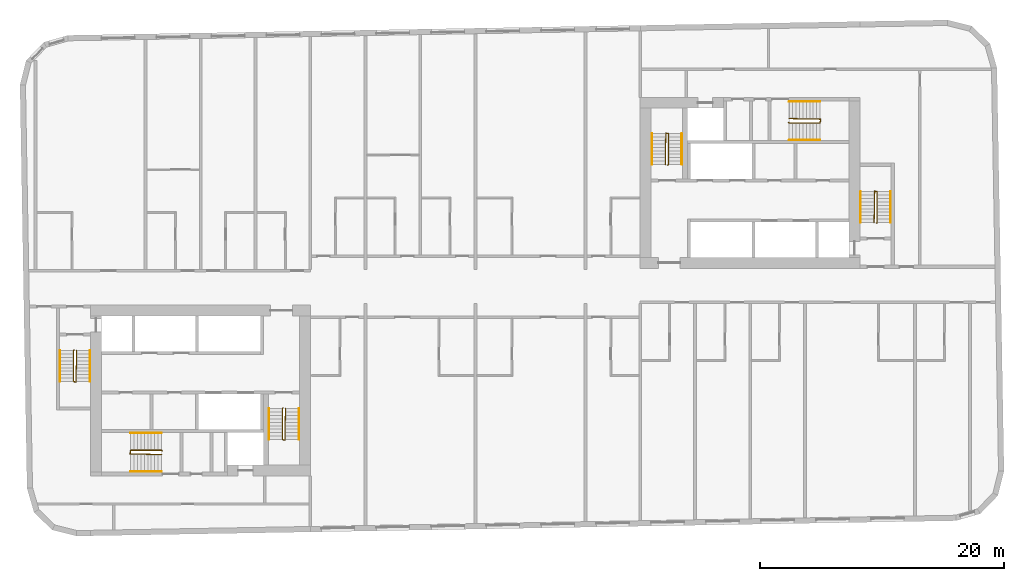
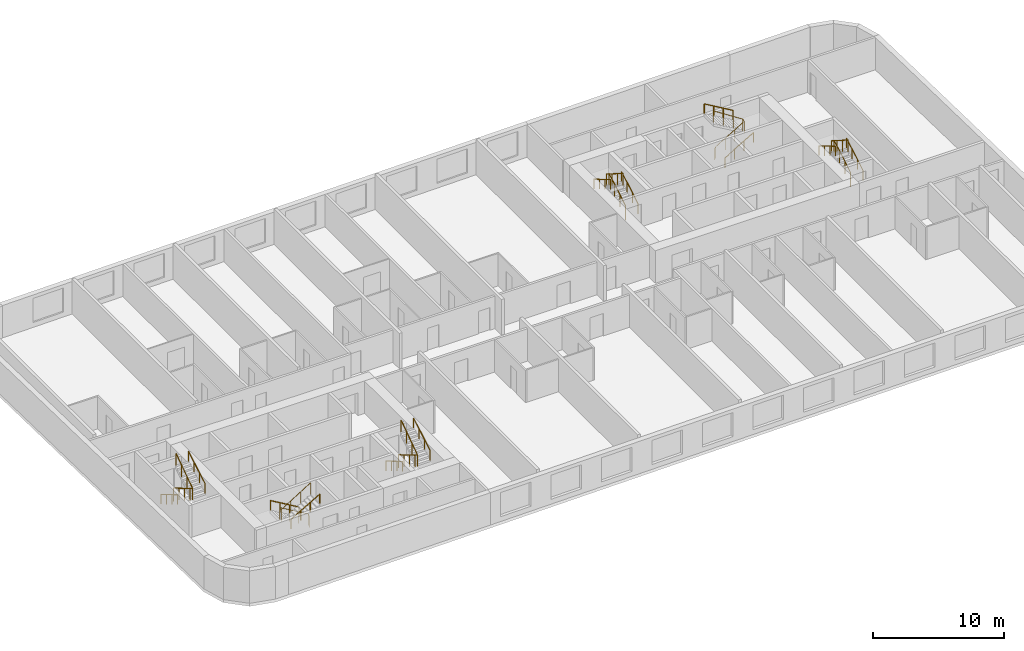
# One storey, part 11 of 11: 18 railings.
"""IFC4 building model written with IfcOpenShell, lengths in metres."""

from ifc_helpers import new_model, si_unit, direction, frame, origin, origin_2d, place, context, subcontext, project, spatial, circle, extrude, material, type_object, element, save


model = new_model("IFC4")

# Units and contexts
model_context = context("Model", 3, precision=1e-05, world=origin(), true_north=direction((0.0, 1.0)))
body_context = subcontext(model_context, "Body", "Model", "MODEL_VIEW")
ifc_project = project(units=[si_unit("LENGTHUNIT", "METRE"), si_unit("AREAUNIT", "SQUARE_METRE"), si_unit("VOLUMEUNIT", "CUBIC_METRE"), si_unit("PLANEANGLEUNIT", "RADIAN"), si_unit("MASSUNIT", "GRAM", prefix="KILO")], contexts=[model_context])

# Site, building, storey
site_placement = place(None, origin())
site = spatial("IfcSite", under=ifc_project, at=site_placement, CompositionType="ELEMENT")
building_placement = place(site_placement, origin())
building = spatial("IfcBuilding", under=site, at=building_placement, Name="Kajstack Hotel Tower", CompositionType="ELEMENT")
storey_placement = place(building_placement, frame((0.0, 0.0, 250.699951171875)))
storey = spatial("IfcBuildingStorey", under=building, at=storey_placement, Name="L62", CompositionType="ELEMENT", Elevation=250.699951171875)

# Railings
ifc_material = material(Name="Steel S355J2", Category="steel")
railing_type_1 = type_object("IfcRailingType", Name="Stair guard 1100", PredefinedType="GUARDRAIL", material=ifc_material)
railing_1_placement = place(storey_placement, frame((-32.85009765625, -5.199951171875, 0.0)))
element("IfcRailing", 1, at=railing_1_placement, inside=storey, type_object=railing_type_1, Name="L62 W1 stair guard 1", PredefinedType="GUARDRAIL", context=body_context, shape_type="SweptSolid", body=[
    extrude(circle(Radius=0.02392578125, at=origin_2d()), frame((0.0, 0.0, 1.076171875), z_axis=(-0.277450376394, -0.278810427259, 0.919394384522), x_axis=(0.708833529934, -0.705375805398, 0.0)), (0.0, 0.0, 1.0), 0.179443359375),
    extrude(circle(Radius=0.02392578125, at=origin_2d()), frame((-0.0498046875, -0.050048828125, 1.2412109375), z_axis=(0.0, -0.86152411907, 0.507716645641), x_axis=(1.0, 0.0, 0.0)), (0.0, 0.0, 1.0), 2.925048828125),
    extrude(circle(Radius=0.02392578125, at=origin_2d()), frame((-0.0498046875, -2.570068359375, 2.72607421875), z_axis=(0.970072785993, -0.242814311512, 0.0), x_axis=(0.242814311512, 0.970072785993, 0.0)), (0.0, 0.0, 1.0), 0.2060546875),
    extrude(circle(Radius=0.02392578125, at=origin_2d()), frame((0.150146484375, -2.6201171875, 2.72607421875), z_axis=(0.016385308676, 0.841405582595, 0.540155687962), x_axis=(-0.999810440751, 0.019470042781, 0.0)), (0.0, 0.0, 1.0), 3.054443359375),
    extrude(circle(Radius=0.02099609375, at=origin_2d()), origin(), (0.0, 0.0, 1.0), 1.052001953125),
    extrude(circle(Radius=0.02099609375, at=origin_2d()), frame((-0.0498046875, -0.050048828125, 0.1650390625)), (0.0, 0.0, 1.0), 1.052001953125),
    extrude(circle(Radius=0.02099609375, at=origin_2d()), frame((-0.0498046875, -0.89013671875, 0.66015625)), (0.0, 0.0, 1.0), 1.052001953125),
    extrude(circle(Radius=0.02099609375, at=origin_2d()), frame((-0.0498046875, -1.72998046875, 1.155029296875)), (0.0, 0.0, 1.0), 1.052001953125),
    extrude(circle(Radius=0.02099609375, at=origin_2d()), frame((-0.0498046875, -2.570068359375, 1.650146484375)), (0.0, 0.0, 1.0), 1.052001953125),
    extrude(circle(Radius=0.02099609375, at=origin_2d()), frame((0.150146484375, -2.6201171875, 1.650146484375)), (0.0, 0.0, 1.0), 1.052001953125),
    extrude(circle(Radius=0.02099609375, at=origin_2d()), frame((0.166748046875, -1.763427734375, 2.2001953125)), (0.0, 0.0, 1.0), 1.052001953125),
    extrude(circle(Radius=0.02099609375, at=origin_2d()), frame((0.18359375, -0.90673828125, 2.75)), (0.0, 0.0, 1.0), 1.052001953125),
    extrude(circle(Radius=0.02099609375, at=origin_2d()), frame((0.2001953125, -0.050048828125, 3.300048828125)), (0.0, 0.0, 1.0), 1.052001953125),
])
railing_2_placement = place(storey_placement, frame((-15.75, -9.949951171875, 0.0)))
element("IfcRailing", 2, at=railing_2_placement, inside=storey, type_object=railing_type_1, Name="L62 W2 stair guard 1", PredefinedType="GUARDRAIL", context=body_context, shape_type="SweptSolid", body=[
    extrude(circle(Radius=0.02392578125, at=origin_2d()), frame((0.0, 0.0, 1.076171875), z_axis=(-0.278705021027, -0.278705021027, 0.919046801044), x_axis=(0.707106781187, -0.707106781187, 0.0)), (0.0, 0.0, 1.0), 0.1796875),
    extrude(circle(Radius=0.02392578125, at=origin_2d()), frame((-0.050048828125, -0.050048828125, 1.2412109375), z_axis=(0.0, -0.86152411907, 0.507716645641), x_axis=(1.0, 0.0, 0.0)), (0.0, 0.0, 1.0), 2.925048828125),
    extrude(circle(Radius=0.02392578125, at=origin_2d()), frame((-0.050048828125, -2.570068359375, 2.72607421875), z_axis=(0.970072785993, -0.242814311512, 0.0), x_axis=(0.242814311512, 0.970072785993, 0.0)), (0.0, 0.0, 1.0), 0.2060546875),
    extrude(circle(Radius=0.02392578125, at=origin_2d()), frame((0.14990234375, -2.6201171875, 2.72607421875), z_axis=(0.016385308676, 0.841405582595, 0.540155687962), x_axis=(-0.999810440751, 0.019470042781, 0.0)), (0.0, 0.0, 1.0), 3.054443359375),
    extrude(circle(Radius=0.02099609375, at=origin_2d()), origin(), (0.0, 0.0, 1.0), 1.052001953125),
    extrude(circle(Radius=0.02099609375, at=origin_2d()), frame((-0.050048828125, -0.050048828125, 0.1650390625)), (0.0, 0.0, 1.0), 1.052001953125),
    extrude(circle(Radius=0.02099609375, at=origin_2d()), frame((-0.050048828125, -0.89013671875, 0.66015625)), (0.0, 0.0, 1.0), 1.052001953125),
    extrude(circle(Radius=0.02099609375, at=origin_2d()), frame((-0.050048828125, -1.72998046875, 1.155029296875)), (0.0, 0.0, 1.0), 1.052001953125),
    extrude(circle(Radius=0.02099609375, at=origin_2d()), frame((-0.050048828125, -2.570068359375, 1.650146484375)), (0.0, 0.0, 1.0), 1.052001953125),
    extrude(circle(Radius=0.02099609375, at=origin_2d()), frame((0.14990234375, -2.6201171875, 1.650146484375)), (0.0, 0.0, 1.0), 1.052001953125),
    extrude(circle(Radius=0.02099609375, at=origin_2d()), frame((0.16650390625, -1.763427734375, 2.2001953125)), (0.0, 0.0, 1.0), 1.052001953125),
    extrude(circle(Radius=0.02099609375, at=origin_2d()), frame((0.183349609375, -0.90673828125, 2.75)), (0.0, 0.0, 1.0), 1.052001953125),
    extrude(circle(Radius=0.02099609375, at=origin_2d()), frame((0.199951171875, -0.050048828125, 3.300048828125)), (0.0, 0.0, 1.0), 1.052001953125),
])
railing_3_placement = place(storey_placement, frame((-25.64990234375, -13.449951171875, 0.0)))
element("IfcRailing", 3, at=railing_3_placement, inside=storey, type_object=railing_type_1, Name="L62 W3 stair guard 1", PredefinedType="GUARDRAIL", context=body_context, shape_type="SweptSolid", body=[
    extrude(circle(Radius=0.02392578125, at=origin_2d()), frame((0.0, 0.0, 1.076171875), z_axis=(-0.278705021027, 0.278705021027, 0.919046801044), x_axis=(-0.707106781187, -0.707106781187, 0.0)), (0.0, 0.0, 1.0), 0.1796875),
    extrude(circle(Radius=0.02392578125, at=origin_2d()), frame((-0.050048828125, 0.050048828125, 1.2412109375), z_axis=(-0.86152411907, 0.0, 0.507716645641), x_axis=(0.0, -1.0, 0.0)), (0.0, 0.0, 1.0), 2.925048828125),
    extrude(circle(Radius=0.02392578125, at=origin_2d()), frame((-2.570068359375, 0.050048828125, 2.72607421875), z_axis=(-0.164529134168, -0.986372223864, 0.0), x_axis=(0.986372223864, -0.164529134168, 0.0)), (0.0, 0.0, 1.0), 0.30419921875),
    extrude(circle(Radius=0.02392578125, at=origin_2d()), frame((-2.6201171875, -0.25, 2.72607421875), z_axis=(0.841405582595, -0.016385308676, 0.540155687962), x_axis=(0.019470042781, 0.999810440751, 0.0)), (0.0, 0.0, 1.0), 3.054443359375),
    extrude(circle(Radius=0.02099609375, at=origin_2d()), origin(), (0.0, 0.0, 1.0), 1.052001953125),
    extrude(circle(Radius=0.02099609375, at=origin_2d()), frame((-0.050048828125, 0.050048828125, 0.1650390625)), (0.0, 0.0, 1.0), 1.052001953125),
    extrude(circle(Radius=0.02099609375, at=origin_2d()), frame((-0.89013671875, 0.050048828125, 0.66015625)), (0.0, 0.0, 1.0), 1.052001953125),
    extrude(circle(Radius=0.02099609375, at=origin_2d()), frame((-1.72998046875, 0.050048828125, 1.155029296875)), (0.0, 0.0, 1.0), 1.052001953125),
    extrude(circle(Radius=0.02099609375, at=origin_2d()), frame((-2.570068359375, 0.050048828125, 1.650146484375)), (0.0, 0.0, 1.0), 1.052001953125),
    extrude(circle(Radius=0.02099609375, at=origin_2d()), frame((-2.6201171875, -0.25, 1.650146484375)), (0.0, 0.0, 1.0), 1.052001953125),
    extrude(circle(Radius=0.02099609375, at=origin_2d()), frame((-1.763427734375, -0.2666015625, 2.2001953125)), (0.0, 0.0, 1.0), 1.052001953125),
    extrude(circle(Radius=0.02099609375, at=origin_2d()), frame((-0.90673828125, -0.283447265625, 2.75)), (0.0, 0.0, 1.0), 1.052001953125),
    extrude(circle(Radius=0.02099609375, at=origin_2d()), frame((-0.050048828125, -0.300048828125, 3.300048828125)), (0.0, 0.0, 1.0), 1.052001953125),
])
railing_4_placement = place(storey_placement, frame((32.85009765625, 5.199951171875, 0.0)))
element("IfcRailing", 4, at=railing_4_placement, inside=storey, type_object=railing_type_1, Name="L62 E1 stair guard 1", PredefinedType="GUARDRAIL", context=body_context, shape_type="SweptSolid", body=[
    extrude(circle(Radius=0.02392578125, at=origin_2d()), frame((0.0, 0.0, 1.076171875), z_axis=(0.277450376394, 0.278810427259, 0.919394384522), x_axis=(-0.708833529934, 0.705375805398, 0.0)), (0.0, 0.0, 1.0), 0.179443359375),
    extrude(circle(Radius=0.02392578125, at=origin_2d()), frame((0.0498046875, 0.050048828125, 1.2412109375), z_axis=(0.0, 0.86152411907, 0.507716645641), x_axis=(-1.0, 0.0, 0.0)), (0.0, 0.0, 1.0), 2.925048828125),
    extrude(circle(Radius=0.02392578125, at=origin_2d()), frame((0.0498046875, 2.570068359375, 2.72607421875), z_axis=(-0.970072785993, 0.242814311512, 0.0), x_axis=(-0.242814311512, -0.970072785993, 0.0)), (0.0, 0.0, 1.0), 0.2060546875),
    extrude(circle(Radius=0.02392578125, at=origin_2d()), frame((-0.150146484375, 2.6201171875, 2.72607421875), z_axis=(-0.016385308676, -0.841405582595, 0.540155687962), x_axis=(0.999810440751, -0.019470042781, 0.0)), (0.0, 0.0, 1.0), 3.054443359375),
    extrude(circle(Radius=0.02099609375, at=origin_2d()), origin(), (0.0, 0.0, 1.0), 1.052001953125),
    extrude(circle(Radius=0.02099609375, at=origin_2d()), frame((0.0498046875, 0.050048828125, 0.1650390625)), (0.0, 0.0, 1.0), 1.052001953125),
    extrude(circle(Radius=0.02099609375, at=origin_2d()), frame((0.0498046875, 0.89013671875, 0.66015625)), (0.0, 0.0, 1.0), 1.052001953125),
    extrude(circle(Radius=0.02099609375, at=origin_2d()), frame((0.0498046875, 1.72998046875, 1.155029296875)), (0.0, 0.0, 1.0), 1.052001953125),
    extrude(circle(Radius=0.02099609375, at=origin_2d()), frame((0.0498046875, 2.570068359375, 1.650146484375)), (0.0, 0.0, 1.0), 1.052001953125),
    extrude(circle(Radius=0.02099609375, at=origin_2d()), frame((-0.150146484375, 2.6201171875, 1.650146484375)), (0.0, 0.0, 1.0), 1.052001953125),
    extrude(circle(Radius=0.02099609375, at=origin_2d()), frame((-0.166748046875, 1.763427734375, 2.2001953125)), (0.0, 0.0, 1.0), 1.052001953125),
    extrude(circle(Radius=0.02099609375, at=origin_2d()), frame((-0.18359375, 0.90673828125, 2.75)), (0.0, 0.0, 1.0), 1.052001953125),
    extrude(circle(Radius=0.02099609375, at=origin_2d()), frame((-0.2001953125, 0.050048828125, 3.300048828125)), (0.0, 0.0, 1.0), 1.052001953125),
])
railing_5_placement = place(storey_placement, frame((15.75, 9.949951171875, 0.0)))
element("IfcRailing", 5, at=railing_5_placement, inside=storey, type_object=railing_type_1, Name="L62 E2 stair guard 1", PredefinedType="GUARDRAIL", context=body_context, shape_type="SweptSolid", body=[
    extrude(circle(Radius=0.02392578125, at=origin_2d()), frame((0.0, 0.0, 1.076171875), z_axis=(0.278705021027, 0.278705021027, 0.919046801044), x_axis=(-0.707106781187, 0.707106781187, 0.0)), (0.0, 0.0, 1.0), 0.1796875),
    extrude(circle(Radius=0.02392578125, at=origin_2d()), frame((0.050048828125, 0.050048828125, 1.2412109375), z_axis=(0.0, 0.86152411907, 0.507716645641), x_axis=(-1.0, 0.0, 0.0)), (0.0, 0.0, 1.0), 2.925048828125),
    extrude(circle(Radius=0.02392578125, at=origin_2d()), frame((0.050048828125, 2.570068359375, 2.72607421875), z_axis=(-0.970072785993, 0.242814311512, 0.0), x_axis=(-0.242814311512, -0.970072785993, 0.0)), (0.0, 0.0, 1.0), 0.2060546875),
    extrude(circle(Radius=0.02392578125, at=origin_2d()), frame((-0.14990234375, 2.6201171875, 2.72607421875), z_axis=(-0.016385308676, -0.841405582595, 0.540155687962), x_axis=(0.999810440751, -0.019470042781, 0.0)), (0.0, 0.0, 1.0), 3.054443359375),
    extrude(circle(Radius=0.02099609375, at=origin_2d()), origin(), (0.0, 0.0, 1.0), 1.052001953125),
    extrude(circle(Radius=0.02099609375, at=origin_2d()), frame((0.050048828125, 0.050048828125, 0.1650390625)), (0.0, 0.0, 1.0), 1.052001953125),
    extrude(circle(Radius=0.02099609375, at=origin_2d()), frame((0.050048828125, 0.89013671875, 0.66015625)), (0.0, 0.0, 1.0), 1.052001953125),
    extrude(circle(Radius=0.02099609375, at=origin_2d()), frame((0.050048828125, 1.72998046875, 1.155029296875)), (0.0, 0.0, 1.0), 1.052001953125),
    extrude(circle(Radius=0.02099609375, at=origin_2d()), frame((0.050048828125, 2.570068359375, 1.650146484375)), (0.0, 0.0, 1.0), 1.052001953125),
    extrude(circle(Radius=0.02099609375, at=origin_2d()), frame((-0.14990234375, 2.6201171875, 1.650146484375)), (0.0, 0.0, 1.0), 1.052001953125),
    extrude(circle(Radius=0.02099609375, at=origin_2d()), frame((-0.16650390625, 1.763427734375, 2.2001953125)), (0.0, 0.0, 1.0), 1.052001953125),
    extrude(circle(Radius=0.02099609375, at=origin_2d()), frame((-0.183349609375, 0.90673828125, 2.75)), (0.0, 0.0, 1.0), 1.052001953125),
    extrude(circle(Radius=0.02099609375, at=origin_2d()), frame((-0.199951171875, 0.050048828125, 3.300048828125)), (0.0, 0.0, 1.0), 1.052001953125),
])
railing_6_placement = place(storey_placement, frame((25.64990234375, 13.449951171875, 0.0)))
element("IfcRailing", 6, at=railing_6_placement, inside=storey, type_object=railing_type_1, Name="L62 E3 stair guard 1", PredefinedType="GUARDRAIL", context=body_context, shape_type="SweptSolid", body=[
    extrude(circle(Radius=0.02392578125, at=origin_2d()), frame((0.0, 0.0, 1.076171875), z_axis=(0.278705021027, -0.278705021027, 0.919046801044), x_axis=(0.707106781187, 0.707106781187, 0.0)), (0.0, 0.0, 1.0), 0.1796875),
    extrude(circle(Radius=0.02392578125, at=origin_2d()), frame((0.050048828125, -0.050048828125, 1.2412109375), z_axis=(0.86152411907, 0.0, 0.507716645641), x_axis=(0.0, 1.0, 0.0)), (0.0, 0.0, 1.0), 2.925048828125),
    extrude(circle(Radius=0.02392578125, at=origin_2d()), frame((2.570068359375, -0.050048828125, 2.72607421875), z_axis=(0.164529134168, 0.986372223864, 0.0), x_axis=(-0.986372223864, 0.164529134168, 0.0)), (0.0, 0.0, 1.0), 0.30419921875),
    extrude(circle(Radius=0.02392578125, at=origin_2d()), frame((2.6201171875, 0.25, 2.72607421875), z_axis=(-0.841405582595, 0.016385308676, 0.540155687962), x_axis=(-0.019470042781, -0.999810440751, 0.0)), (0.0, 0.0, 1.0), 3.054443359375),
    extrude(circle(Radius=0.02099609375, at=origin_2d()), origin(), (0.0, 0.0, 1.0), 1.052001953125),
    extrude(circle(Radius=0.02099609375, at=origin_2d()), frame((0.050048828125, -0.050048828125, 0.1650390625)), (0.0, 0.0, 1.0), 1.052001953125),
    extrude(circle(Radius=0.02099609375, at=origin_2d()), frame((0.89013671875, -0.050048828125, 0.66015625)), (0.0, 0.0, 1.0), 1.052001953125),
    extrude(circle(Radius=0.02099609375, at=origin_2d()), frame((1.72998046875, -0.050048828125, 1.155029296875)), (0.0, 0.0, 1.0), 1.052001953125),
    extrude(circle(Radius=0.02099609375, at=origin_2d()), frame((2.570068359375, -0.050048828125, 1.650146484375)), (0.0, 0.0, 1.0), 1.052001953125),
    extrude(circle(Radius=0.02099609375, at=origin_2d()), frame((2.6201171875, 0.25, 1.650146484375)), (0.0, 0.0, 1.0), 1.052001953125),
    extrude(circle(Radius=0.02099609375, at=origin_2d()), frame((1.763427734375, 0.2666015625, 2.2001953125)), (0.0, 0.0, 1.0), 1.052001953125),
    extrude(circle(Radius=0.02099609375, at=origin_2d()), frame((0.90673828125, 0.283447265625, 2.75)), (0.0, 0.0, 1.0), 1.052001953125),
    extrude(circle(Radius=0.02099609375, at=origin_2d()), frame((0.050048828125, 0.300048828125, 3.300048828125)), (0.0, 0.0, 1.0), 1.052001953125),
])
railing_type_2 = type_object("IfcRailingType", Name="Stair handrail 900", PredefinedType="HANDRAIL", material=ifc_material)
railing_7_placement = place(storey_placement, frame((-34.0, -5.25, 0.1650390625)))
element("IfcRailing", 7, at=railing_7_placement, inside=storey, type_object=railing_type_2, Name="L62 W1 stair handrail 1", PredefinedType="HANDRAIL", context=body_context, shape_type="SweptSolid", body=[
    extrude(circle(Radius=0.02392578125, at=origin_2d()), frame((0.0, 0.0, 0.8759765625), z_axis=(0.0, -0.86152411907, 0.507716645641), x_axis=(1.0, 0.0, 0.0)), (0.0, 0.0, 1.0), 2.925048828125),
    extrude(circle(Radius=0.02099609375, at=origin_2d()), origin(), (0.0, 0.0, 1.0), 0.851806640625),
    extrude(circle(Radius=0.02099609375, at=origin_2d()), frame((0.0, -0.840087890625, 0.4951171875)), (0.0, 0.0, 1.0), 0.851806640625),
    extrude(circle(Radius=0.02099609375, at=origin_2d()), frame((0.0, -1.679931640625, 0.989990234375)), (0.0, 0.0, 1.0), 0.851806640625),
    extrude(circle(Radius=0.02099609375, at=origin_2d()), frame((0.0, -2.52001953125, 1.485107421875)), (0.0, 0.0, 1.0), 0.851806640625),
])
railing_8_placement = place(storey_placement, frame((-31.550048828125, -7.77001953125, 1.81494140625)))
element("IfcRailing", 8, at=railing_8_placement, inside=storey, type_object=railing_type_2, Name="L62 W1 stair handrail 2", PredefinedType="HANDRAIL", context=body_context, shape_type="SweptSolid", body=[
    extrude(circle(Radius=0.02392578125, at=origin_2d()), frame((0.0, 0.0, 0.8759765625), z_axis=(0.0, 0.86152411907, 0.507716645641), x_axis=(-1.0, 0.0, 0.0)), (0.0, 0.0, 1.0), 2.925048828125),
    extrude(circle(Radius=0.02099609375, at=origin_2d()), origin(), (0.0, 0.0, 1.0), 0.851806640625),
    extrude(circle(Radius=0.02099609375, at=origin_2d()), frame((0.0, 0.840087890625, 0.4951171875)), (0.0, 0.0, 1.0), 0.851806640625),
    extrude(circle(Radius=0.02099609375, at=origin_2d()), frame((0.0, 1.679931640625, 0.989990234375)), (0.0, 0.0, 1.0), 0.851806640625),
    extrude(circle(Radius=0.02099609375, at=origin_2d()), frame((0.0, 2.52001953125, 1.485107421875)), (0.0, 0.0, 1.0), 0.851806640625),
])
railing_9_placement = place(storey_placement, frame((-16.89990234375, -10.0, 0.1650390625)))
element("IfcRailing", 9, at=railing_9_placement, inside=storey, type_object=railing_type_2, Name="L62 W2 stair handrail 1", PredefinedType="HANDRAIL", context=body_context, shape_type="SweptSolid", body=[
    extrude(circle(Radius=0.02392578125, at=origin_2d()), frame((0.0, 0.0, 0.8759765625), z_axis=(0.0, -0.86152411907, 0.507716645641), x_axis=(1.0, 0.0, 0.0)), (0.0, 0.0, 1.0), 2.925048828125),
    extrude(circle(Radius=0.02099609375, at=origin_2d()), origin(), (0.0, 0.0, 1.0), 0.851806640625),
    extrude(circle(Radius=0.02099609375, at=origin_2d()), frame((0.0, -0.840087890625, 0.4951171875)), (0.0, 0.0, 1.0), 0.851806640625),
    extrude(circle(Radius=0.02099609375, at=origin_2d()), frame((0.0, -1.679931640625, 0.989990234375)), (0.0, 0.0, 1.0), 0.851806640625),
    extrude(circle(Radius=0.02099609375, at=origin_2d()), frame((0.0, -2.52001953125, 1.485107421875)), (0.0, 0.0, 1.0), 0.851806640625),
])
railing_10_placement = place(storey_placement, frame((-14.449951171875, -12.52001953125, 1.81494140625)))
element("IfcRailing", 10, at=railing_10_placement, inside=storey, type_object=railing_type_2, Name="L62 W2 stair handrail 2", PredefinedType="HANDRAIL", context=body_context, shape_type="SweptSolid", body=[
    extrude(circle(Radius=0.02392578125, at=origin_2d()), frame((0.0, 0.0, 0.8759765625), z_axis=(0.0, 0.86152411907, 0.507716645641), x_axis=(-1.0, 0.0, 0.0)), (0.0, 0.0, 1.0), 2.925048828125),
    extrude(circle(Radius=0.02099609375, at=origin_2d()), origin(), (0.0, 0.0, 1.0), 0.851806640625),
    extrude(circle(Radius=0.02099609375, at=origin_2d()), frame((0.0, 0.840087890625, 0.4951171875)), (0.0, 0.0, 1.0), 0.851806640625),
    extrude(circle(Radius=0.02099609375, at=origin_2d()), frame((0.0, 1.679931640625, 0.989990234375)), (0.0, 0.0, 1.0), 0.851806640625),
    extrude(circle(Radius=0.02099609375, at=origin_2d()), frame((0.0, 2.52001953125, 1.485107421875)), (0.0, 0.0, 1.0), 0.851806640625),
])
railing_11_placement = place(storey_placement, frame((-25.699951171875, -12.0, 0.1650390625)))
element("IfcRailing", 11, at=railing_11_placement, inside=storey, type_object=railing_type_2, Name="L62 W3 stair handrail 1", PredefinedType="HANDRAIL", context=body_context, shape_type="SweptSolid", body=[
    extrude(circle(Radius=0.02392578125, at=origin_2d()), frame((0.0, 0.0, 0.8759765625), z_axis=(-0.86152411907, 0.0, 0.507716645641), x_axis=(0.0, -1.0, 0.0)), (0.0, 0.0, 1.0), 2.925048828125),
    extrude(circle(Radius=0.02099609375, at=origin_2d()), origin(), (0.0, 0.0, 1.0), 0.851806640625),
    extrude(circle(Radius=0.02099609375, at=origin_2d()), frame((-0.840087890625, 0.0, 0.4951171875)), (0.0, 0.0, 1.0), 0.851806640625),
    extrude(circle(Radius=0.02099609375, at=origin_2d()), frame((-1.679931640625, 0.0, 0.989990234375)), (0.0, 0.0, 1.0), 0.851806640625),
    extrude(circle(Radius=0.02099609375, at=origin_2d()), frame((-2.52001953125, 0.0, 1.485107421875)), (0.0, 0.0, 1.0), 0.851806640625),
])
railing_12_placement = place(storey_placement, frame((-28.219970703125, -15.14990234375, 1.81494140625)))
element("IfcRailing", 12, at=railing_12_placement, inside=storey, type_object=railing_type_2, Name="L62 W3 stair handrail 2", PredefinedType="HANDRAIL", context=body_context, shape_type="SweptSolid", body=[
    extrude(circle(Radius=0.02392578125, at=origin_2d()), frame((0.0, 0.0, 0.8759765625), z_axis=(0.86152411907, 0.0, 0.507716645641), x_axis=(0.0, 1.0, 0.0)), (0.0, 0.0, 1.0), 2.925048828125),
    extrude(circle(Radius=0.02099609375, at=origin_2d()), origin(), (0.0, 0.0, 1.0), 0.851806640625),
    extrude(circle(Radius=0.02099609375, at=origin_2d()), frame((0.840087890625, 0.0, 0.4951171875)), (0.0, 0.0, 1.0), 0.851806640625),
    extrude(circle(Radius=0.02099609375, at=origin_2d()), frame((1.679931640625, 0.0, 0.989990234375)), (0.0, 0.0, 1.0), 0.851806640625),
    extrude(circle(Radius=0.02099609375, at=origin_2d()), frame((2.52001953125, 0.0, 1.485107421875)), (0.0, 0.0, 1.0), 0.851806640625),
])
railing_13_placement = place(storey_placement, frame((34.0, 5.25, 0.1650390625)))
element("IfcRailing", 13, at=railing_13_placement, inside=storey, type_object=railing_type_2, Name="L62 E1 stair handrail 1", PredefinedType="HANDRAIL", context=body_context, shape_type="SweptSolid", body=[
    extrude(circle(Radius=0.02392578125, at=origin_2d()), frame((0.0, 0.0, 0.8759765625), z_axis=(0.0, 0.86152411907, 0.507716645641), x_axis=(-1.0, 0.0, 0.0)), (0.0, 0.0, 1.0), 2.925048828125),
    extrude(circle(Radius=0.02099609375, at=origin_2d()), origin(), (0.0, 0.0, 1.0), 0.851806640625),
    extrude(circle(Radius=0.02099609375, at=origin_2d()), frame((0.0, 0.840087890625, 0.4951171875)), (0.0, 0.0, 1.0), 0.851806640625),
    extrude(circle(Radius=0.02099609375, at=origin_2d()), frame((0.0, 1.679931640625, 0.989990234375)), (0.0, 0.0, 1.0), 0.851806640625),
    extrude(circle(Radius=0.02099609375, at=origin_2d()), frame((0.0, 2.52001953125, 1.485107421875)), (0.0, 0.0, 1.0), 0.851806640625),
])
railing_14_placement = place(storey_placement, frame((31.550048828125, 7.77001953125, 1.81494140625)))
element("IfcRailing", 14, at=railing_14_placement, inside=storey, type_object=railing_type_2, Name="L62 E1 stair handrail 2", PredefinedType="HANDRAIL", context=body_context, shape_type="SweptSolid", body=[
    extrude(circle(Radius=0.02392578125, at=origin_2d()), frame((0.0, 0.0, 0.8759765625), z_axis=(0.0, -0.86152411907, 0.507716645641), x_axis=(1.0, 0.0, 0.0)), (0.0, 0.0, 1.0), 2.925048828125),
    extrude(circle(Radius=0.02099609375, at=origin_2d()), origin(), (0.0, 0.0, 1.0), 0.851806640625),
    extrude(circle(Radius=0.02099609375, at=origin_2d()), frame((0.0, -0.840087890625, 0.4951171875)), (0.0, 0.0, 1.0), 0.851806640625),
    extrude(circle(Radius=0.02099609375, at=origin_2d()), frame((0.0, -1.679931640625, 0.989990234375)), (0.0, 0.0, 1.0), 0.851806640625),
    extrude(circle(Radius=0.02099609375, at=origin_2d()), frame((0.0, -2.52001953125, 1.485107421875)), (0.0, 0.0, 1.0), 0.851806640625),
])
railing_15_placement = place(storey_placement, frame((16.89990234375, 10.0, 0.1650390625)))
element("IfcRailing", 15, at=railing_15_placement, inside=storey, type_object=railing_type_2, Name="L62 E2 stair handrail 1", PredefinedType="HANDRAIL", context=body_context, shape_type="SweptSolid", body=[
    extrude(circle(Radius=0.02392578125, at=origin_2d()), frame((0.0, 0.0, 0.8759765625), z_axis=(0.0, 0.86152411907, 0.507716645641), x_axis=(-1.0, 0.0, 0.0)), (0.0, 0.0, 1.0), 2.925048828125),
    extrude(circle(Radius=0.02099609375, at=origin_2d()), origin(), (0.0, 0.0, 1.0), 0.851806640625),
    extrude(circle(Radius=0.02099609375, at=origin_2d()), frame((0.0, 0.840087890625, 0.4951171875)), (0.0, 0.0, 1.0), 0.851806640625),
    extrude(circle(Radius=0.02099609375, at=origin_2d()), frame((0.0, 1.679931640625, 0.989990234375)), (0.0, 0.0, 1.0), 0.851806640625),
    extrude(circle(Radius=0.02099609375, at=origin_2d()), frame((0.0, 2.52001953125, 1.485107421875)), (0.0, 0.0, 1.0), 0.851806640625),
])
railing_16_placement = place(storey_placement, frame((14.449951171875, 12.52001953125, 1.81494140625)))
element("IfcRailing", 16, at=railing_16_placement, inside=storey, type_object=railing_type_2, Name="L62 E2 stair handrail 2", PredefinedType="HANDRAIL", context=body_context, shape_type="SweptSolid", body=[
    extrude(circle(Radius=0.02392578125, at=origin_2d()), frame((0.0, 0.0, 0.8759765625), z_axis=(0.0, -0.86152411907, 0.507716645641), x_axis=(1.0, 0.0, 0.0)), (0.0, 0.0, 1.0), 2.925048828125),
    extrude(circle(Radius=0.02099609375, at=origin_2d()), origin(), (0.0, 0.0, 1.0), 0.851806640625),
    extrude(circle(Radius=0.02099609375, at=origin_2d()), frame((0.0, -0.840087890625, 0.4951171875)), (0.0, 0.0, 1.0), 0.851806640625),
    extrude(circle(Radius=0.02099609375, at=origin_2d()), frame((0.0, -1.679931640625, 0.989990234375)), (0.0, 0.0, 1.0), 0.851806640625),
    extrude(circle(Radius=0.02099609375, at=origin_2d()), frame((0.0, -2.52001953125, 1.485107421875)), (0.0, 0.0, 1.0), 0.851806640625),
])
railing_17_placement = place(storey_placement, frame((25.699951171875, 12.0, 0.1650390625)))
element("IfcRailing", 17, at=railing_17_placement, inside=storey, type_object=railing_type_2, Name="L62 E3 stair handrail 1", PredefinedType="HANDRAIL", context=body_context, shape_type="SweptSolid", body=[
    extrude(circle(Radius=0.02392578125, at=origin_2d()), frame((0.0, 0.0, 0.8759765625), z_axis=(0.86152411907, 0.0, 0.507716645641), x_axis=(0.0, 1.0, 0.0)), (0.0, 0.0, 1.0), 2.925048828125),
    extrude(circle(Radius=0.02099609375, at=origin_2d()), origin(), (0.0, 0.0, 1.0), 0.851806640625),
    extrude(circle(Radius=0.02099609375, at=origin_2d()), frame((0.840087890625, 0.0, 0.4951171875)), (0.0, 0.0, 1.0), 0.851806640625),
    extrude(circle(Radius=0.02099609375, at=origin_2d()), frame((1.679931640625, 0.0, 0.989990234375)), (0.0, 0.0, 1.0), 0.851806640625),
    extrude(circle(Radius=0.02099609375, at=origin_2d()), frame((2.52001953125, 0.0, 1.485107421875)), (0.0, 0.0, 1.0), 0.851806640625),
])
railing_18_placement = place(storey_placement, frame((28.219970703125, 15.14990234375, 1.81494140625)))
element("IfcRailing", 18, at=railing_18_placement, inside=storey, type_object=railing_type_2, Name="L62 E3 stair handrail 2", PredefinedType="HANDRAIL", context=body_context, shape_type="SweptSolid", body=[
    extrude(circle(Radius=0.02392578125, at=origin_2d()), frame((0.0, 0.0, 0.8759765625), z_axis=(-0.86152411907, 0.0, 0.507716645641), x_axis=(0.0, -1.0, 0.0)), (0.0, 0.0, 1.0), 2.925048828125),
    extrude(circle(Radius=0.02099609375, at=origin_2d()), origin(), (0.0, 0.0, 1.0), 0.851806640625),
    extrude(circle(Radius=0.02099609375, at=origin_2d()), frame((-0.840087890625, 0.0, 0.4951171875)), (0.0, 0.0, 1.0), 0.851806640625),
    extrude(circle(Radius=0.02099609375, at=origin_2d()), frame((-1.679931640625, 0.0, 0.989990234375)), (0.0, 0.0, 1.0), 0.851806640625),
    extrude(circle(Radius=0.02099609375, at=origin_2d()), frame((-2.52001953125, 0.0, 1.485107421875)), (0.0, 0.0, 1.0), 0.851806640625),
])

save(model, "model.ifc")
